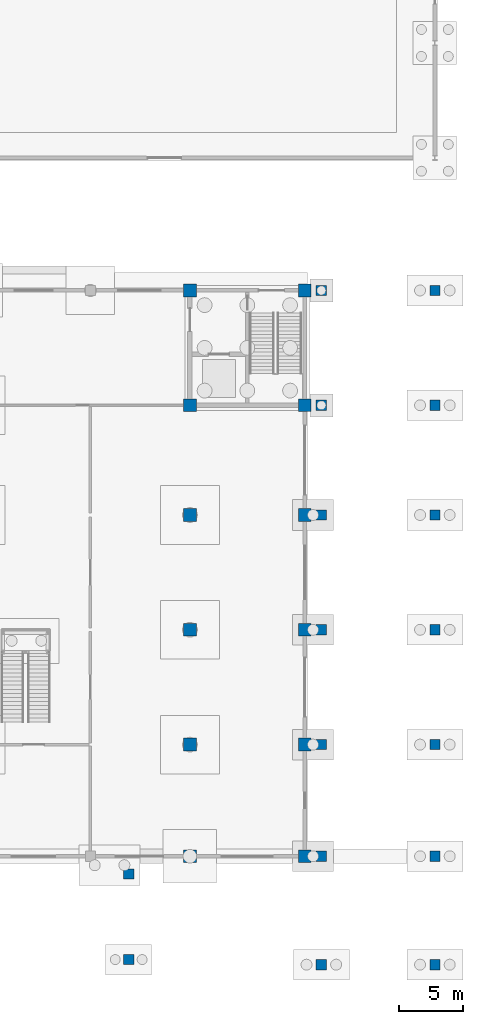
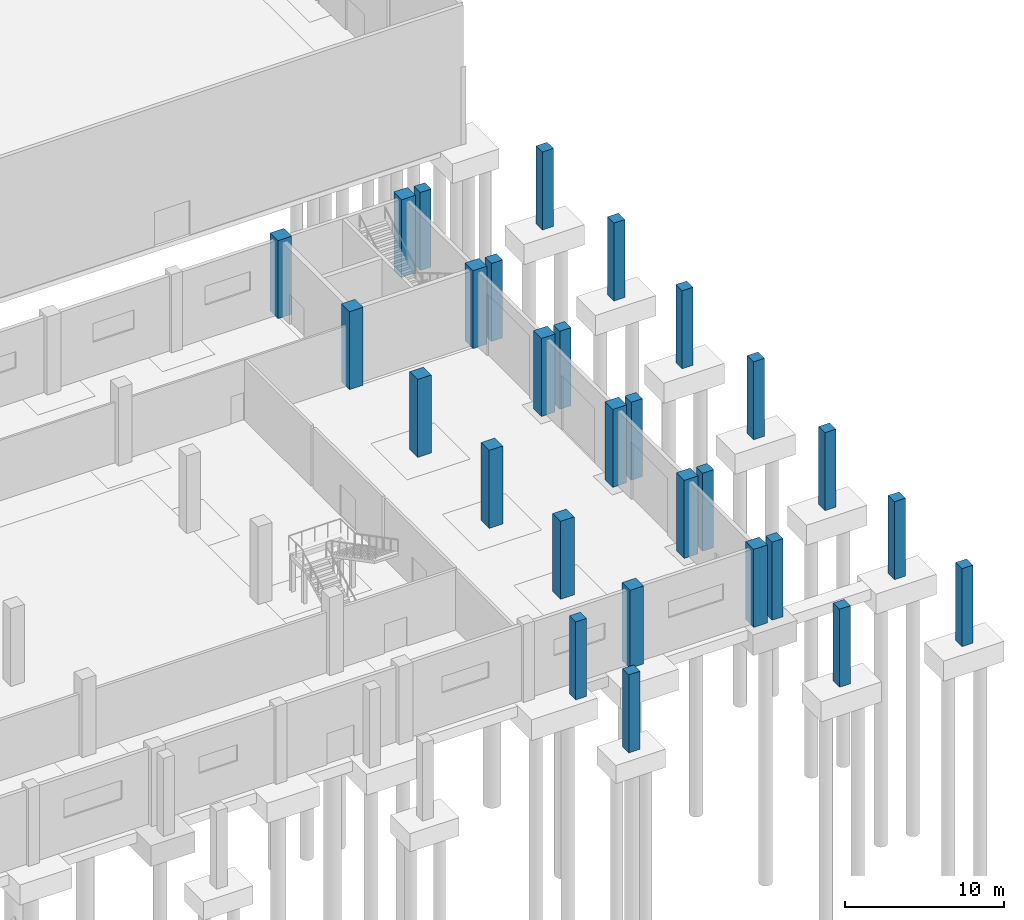
# One storey, part 29 of 131: 28 columns.
"""IFC4 building model written with IfcOpenShell, lengths in metres."""

import ifcopenshell
import ifcopenshell.guid

model = None  # the IFC model being written
_history = None  # IfcOwnerHistory: only IFC2X3 demands one
_inside = {}  # id of a spatial element -> (the spatial element, [elements in it])
_under = {}  # id of a project, library or spatial element -> (it, [spatial elements below it])
_declared = {}  # id of a project -> (the project, [libraries it declares])
_typed = {}  # id of a type object -> (the type object, [elements of that type])
_made_of = {}  # id of a material, layer set ... -> (it, [elements and type objects made of it])


def new_model(schema):
    """Start an empty IFC model of exactly this schema.

    Asked for "IFC4X3", IfcOpenShell would pick the latest addendum, in which some entities
    have other attributes; the version numbers below select the first issue.
    IFC2X3 requires an IfcOwnerHistory on every rooted entity: one is made here for all.
    """
    global model, _history
    if schema == "IFC4X3":
        model = ifcopenshell.file(schema_version=(4, 3, 0, 0))
    else:
        model = ifcopenshell.file(schema=schema)
    _inside.clear()
    _under.clear()
    _declared.clear()
    _typed.clear()
    _made_of.clear()
    _history = None
    if model.schema == "IFC2X3":
        org = make("IfcOrganization", Name="unknown")
        user = make(
            "IfcPersonAndOrganization",
            ThePerson=make("IfcPerson", FamilyName="unknown"),
            TheOrganization=org,
        )
        app = make(
            "IfcApplication",
            ApplicationDeveloper=org,
            Version="unknown",
            ApplicationFullName="unknown",
            ApplicationIdentifier="unknown",
        )
        _history = make(
            "IfcOwnerHistory",
            OwningUser=user,
            OwningApplication=app,
            ChangeAction="ADDED",
            CreationDate=0,
        )
    return model


def make(cls, **values):
    """One entity of the class cls with the attributes given. An attribute that is None is left unset."""
    return model.create_entity(
        cls, **{name: value for name, value in values.items() if value is not None}
    )


def rooted(cls, **values):
    """An entity with a GlobalId (a new one), such as an element, a storey or a relation."""
    return make(cls, GlobalId=ifcopenshell.guid.new(), OwnerHistory=_history, **values)


def si_unit(unit_type, name, prefix=None):
    """IfcSIUnit, for example si_unit("LENGTHUNIT", "METRE", prefix="MILLI")."""
    return make("IfcSIUnit", UnitType=unit_type, Prefix=prefix, Name=name)


def assignment(units):
    """IfcUnitAssignment: the units of a project."""
    return None if units is None else make("IfcUnitAssignment", Units=units)


def point(xyz):
    """IfcCartesianPoint."""
    return None if xyz is None else make("IfcCartesianPoint", Coordinates=xyz)


def direction(xyz):
    """IfcDirection."""
    return None if xyz is None else make("IfcDirection", DirectionRatios=xyz)


def frame(location, z_axis=None, x_axis=None):
    """IfcAxis2Placement3D, a coordinate frame: its origin and axes. An axis left out is left unset."""
    return make(
        "IfcAxis2Placement3D",
        Location=point(location),
        Axis=direction(z_axis),
        RefDirection=direction(x_axis),
    )


def frame_2d(location, x_axis=None):
    """IfcAxis2Placement2D, a coordinate frame in the plane: its origin and x axis."""
    return make(
        "IfcAxis2Placement2D", Location=point(location), RefDirection=direction(x_axis)
    )


def origin():
    """The frame at (0, 0, 0) with its axes left unset."""
    return frame((0.0, 0.0, 0.0))


def origin_2d():
    """The frame at (0, 0) in the plane with its x axis left unset."""
    return frame_2d((0.0, 0.0))


def place(relative_to, where):
    """IfcLocalPlacement: puts the frame where relative to a parent placement (None: the world)."""
    return make(
        "IfcLocalPlacement", PlacementRelTo=relative_to, RelativePlacement=where
    )


def context(
    kind, dimensions, precision=None, world=None, true_north=None, identifier=None
):
    """IfcGeometricRepresentationContext, for example the 3D "Model" context."""
    return make(
        "IfcGeometricRepresentationContext",
        ContextIdentifier=identifier,
        ContextType=kind,
        CoordinateSpaceDimension=dimensions,
        Precision=precision,
        WorldCoordinateSystem=world,
        TrueNorth=true_north,
    )


def subcontext(parent, identifier, kind, view, scale=None):
    """IfcGeometricRepresentationSubContext, for example "Body" below "Model"."""
    return make(
        "IfcGeometricRepresentationSubContext",
        ContextIdentifier=identifier,
        ContextType=kind,
        ParentContext=parent,
        TargetScale=scale,
        TargetView=view,
    )


def project(units=None, contexts=None):
    """IfcProject with its units and contexts."""
    return rooted(
        "IfcProject",
        Name="project",
        RepresentationContexts=contexts,
        UnitsInContext=assignment(units),
    )


def spatial(cls, under=None, at=None, **own):
    """A site, building, storey or space (cls), placed at a placement, below another one or the project."""
    s = rooted(cls, ObjectPlacement=at, **own)
    if under is not None:
        _under.setdefault(under.id(), (under, []))[1].append(s)
    return s


def profile(cls, at=None, kind="AREA", **sizes):
    """A parametric profile (cls). Its sizes go by their IFC names, for example OverallWidth=200.0."""
    return make(cls, ProfileType=kind, Position=at, **sizes)


def rectangle(**sizes):
    """IfcRectangleProfileDef."""
    return profile("IfcRectangleProfileDef", **sizes)


def extrude(swept, where, along, depth):
    """IfcExtrudedAreaSolid: the profile swept, set in the frame where, extruded along a direction by depth."""
    return make(
        "IfcExtrudedAreaSolid",
        SweptArea=swept,
        Position=where,
        ExtrudedDirection=direction(along),
        Depth=depth,
    )


def shape(context_of_items, identifier, shape_type, items):
    """IfcShapeRepresentation: the items that make up one representation, for example the "Body"."""
    return make(
        "IfcShapeRepresentation",
        ContextOfItems=context_of_items,
        RepresentationIdentifier=identifier,
        RepresentationType=shape_type,
        Items=items,
    )


def material(Name=None, Category=None):
    """IfcMaterial."""
    return make("IfcMaterial", Name=Name, Category=Category)


def material_profile(
    of_material, cross_section, Name=None, Category=None, Priority=None
):
    """IfcMaterialProfile: a cross section and its material."""
    return make(
        "IfcMaterialProfile",
        Name=Name,
        Material=of_material,
        Profile=cross_section,
        Priority=Priority,
        Category=Category,
    )


def profile_set(profiles, Name=None, composite=None):
    """IfcMaterialProfileSet."""
    return make(
        "IfcMaterialProfileSet",
        Name=Name,
        MaterialProfiles=profiles,
        CompositeProfile=composite,
    )


def made_of(thing, what):
    """Note that an element or type object is made of a material, layer set ...; save() writes the relation."""
    if what is not None:
        _made_of.setdefault(what.id(), (what, []))[1].append(thing)
    return thing


def type_object(cls, material=None, **own):
    """A type object (cls), such as IfcWallType, which elements share."""
    return made_of(rooted(cls, **own), material)


def element(
    cls,
    number,
    at=None,
    inside=None,
    cuts=None,
    type_object=None,
    material=None,
    context=None,
    identifier="Body",
    shape_type=None,
    held_by="IfcProductDefinitionShape",
    body=None,
    shapes=None,
    **own,
):
    """One element of the class cls, such as IfcWall. Its Tag is "e" and its number.

    at: its placement. inside: the storey or other place that contains it. cuts: it is an
    opening in that element (IfcRelVoidsElement). A single representation is given by context,
    identifier, shape_type and body (its items); several are given by shapes. held_by: the class
    of the entity that holds the representations. save() writes the other relations.
    """
    e = rooted(cls, Tag="e%d" % number, ObjectPlacement=at, **own)
    if body is not None:
        shapes = [shape(context, identifier, shape_type, body)]
    if shapes is not None:
        e.Representation = make(held_by, Representations=shapes)
    if inside is not None:
        _inside.setdefault(inside.id(), (inside, []))[1].append(e)
    if cuts is not None:
        rooted(
            "IfcRelVoidsElement", RelatingBuildingElement=cuts, RelatedOpeningElement=e
        )
    if type_object is not None:
        _typed.setdefault(type_object.id(), (type_object, []))[1].append(e)
    return made_of(e, material)


def aggregate(whole, parts):
    """IfcRelAggregates: a whole, such as a stair, and the parts it consists of."""
    return rooted("IfcRelAggregates", RelatingObject=whole, RelatedObjects=parts)


def save(model, path):
    """Write the relations noted so far, then the file.

    IfcRelAggregates (storeys below a building ...), IfcRelContainedInSpatialStructure (elements
    in a storey), IfcRelDefinesByType, IfcRelAssociatesMaterial and IfcRelDeclares: one each for
    every whole, place, type object, material and project.
    """
    for whole, parts in _under.values():
        aggregate(whole, parts)
    for where, things in _inside.values():
        rooted(
            "IfcRelContainedInSpatialStructure",
            RelatedElements=things,
            RelatingStructure=where,
        )
    for kind, things in _typed.values():
        rooted("IfcRelDefinesByType", RelatedObjects=things, RelatingType=kind)
    for what, things in _made_of.values():
        rooted("IfcRelAssociatesMaterial", RelatedObjects=things, RelatingMaterial=what)
    for by, libraries in _declared.values():
        rooted("IfcRelDeclares", RelatingContext=by, RelatedDefinitions=libraries)
    model.write(path)


model = new_model("IFC4")

# Units and contexts
model_context = context("Model", 3, precision=1e-05, world=origin(), true_north=direction((0.0, 1.0)))
body_context = subcontext(model_context, "Body", "Model", "MODEL_VIEW")
ifc_project = project(units=[si_unit("LENGTHUNIT", "METRE"), si_unit("AREAUNIT", "SQUARE_METRE"), si_unit("VOLUMEUNIT", "CUBIC_METRE"), si_unit("PLANEANGLEUNIT", "RADIAN"), si_unit("MASSUNIT", "GRAM", prefix="KILO")], contexts=[model_context])

# Site, building, storey
site_placement = place(None, origin())
site = spatial("IfcSite", under=ifc_project, at=site_placement, CompositionType="ELEMENT")
building_placement = place(site_placement, origin())
building = spatial("IfcBuilding", under=site, at=building_placement, Name="Cazmaro Siding Exhibition Halls", CompositionType="ELEMENT")
storey_placement = place(building_placement, origin())
storey = spatial("IfcBuildingStorey", under=building, at=storey_placement, Name="L00", CompositionType="ELEMENT", Elevation=0.0)

# Columns
ifc_material_1 = material(Name="Concrete f'c 45 MPa", Category="concrete")
ifc_material_profile_1 = material_profile(ifc_material_1, rectangle(XDim=1.0, YDim=1.0, at=origin_2d()), Name="RC1000X1000")
ifc_profile_set_1 = profile_set([ifc_material_profile_1], Name="Concrete f'c 45 MPa")
column_type_1 = type_object("IfcColumnType", Name="C-07", PredefinedType="COLUMN", material=ifc_profile_set_1)
for number, where, z_axis, x_axis, name in (
    (1, (196.800048828125, 9.25, 0.0), (0.0, 0.0, 1.0), (1.0, 0.0, 0.0), "Column C-07 COL-0541"),
    (2, (196.800048828125, 18.0, 0.0), (0.0, 0.0, 1.0), (1.0, 0.0, 0.0), "Column C-07 COL-0543"),
    (3, (196.800048828125, 27.0, 0.0), (0.0, 0.0, 1.0), (1.0, 0.0, 0.0), "Column C-07 COL-0545"),
    (4, (196.800048828125, 36.0, 0.0), (0.0, 0.0, 1.0), (1.0, 0.0, 0.0), "Column C-07 COL-0547"),
    (5, (196.800048828125, 44.60009765625, 0.0), (0.0, 0.0, 1.0), (1.0, 0.0, 0.0), "Column C-07 COL-0549"),
    (6, (196.800048828125, 53.60009765625, 0.0), (0.0, 0.0, 1.0), (1.0, 0.0, 0.0), "Column C-07 COL-0551"),
    (7, (205.800048828125, 9.25, 0.0), (0.0, 0.0, 1.0), (1.0, 0.0, 0.0), "Column C-07 COL-0553"),
    (8, (205.800048828125, 18.0, 0.0), (0.0, 0.0, 1.0), (1.0, 0.0, 0.0), "Column C-07 COL-0555"),
    (9, (205.800048828125, 27.0, 0.0), (0.0, 0.0, 1.0), (1.0, 0.0, 0.0), "Column C-07 COL-0557"),
    (10, (205.800048828125, 36.0, 0.0), (0.0, 0.0, 1.0), (1.0, 0.0, 0.0), "Column C-07 COL-0559"),
    (11, (205.800048828125, 44.60009765625, 0.0), (0.0, 0.0, 1.0), (1.0, 0.0, 0.0), "Column C-07 COL-0561"),
    (12, (205.800048828125, 53.60009765625, 0.0), (0.0, 0.0, 1.0), (1.0, 0.0, 0.0), "Column C-07 COL-0563"),
):
    element("IfcColumn", number, at=place(storey_placement, frame(where, z_axis=z_axis, x_axis=x_axis)), inside=storey, type_object=column_type_1, Name=name, PredefinedType="COLUMN", context=body_context, shape_type="SweptSolid", body=[
        extrude(rectangle(XDim=1.0, YDim=1.0, at=origin_2d()), origin(), (0.0, 0.0, 1.0), 6.0),
    ])
ifc_material_2 = material(Name="Concrete f'c 45 MPa", Category="concrete")
ifc_material_profile_2 = material_profile(ifc_material_2, rectangle(XDim=0.800048828125, YDim=0.800048828125, at=origin_2d()), Name="RC800X800")
ifc_profile_set_2 = profile_set([ifc_material_profile_2], Name="Concrete f'c 45 MPa")
column_type_2 = type_object("IfcColumnType", Name="C-08", PredefinedType="COLUMN", material=ifc_profile_set_2)
for number, where, z_axis, x_axis, name in (
    (13, (207.10009765625, 0.75, 0.0), (0.0, 0.0, 1.0), (1.0, 0.0, 0.0), "Column C-08 COL-1093"),
    (14, (207.10009765625, 9.25, 0.0), (0.0, 0.0, 1.0), (1.0, 0.0, 0.0), "Column C-08 COL-1095"),
    (15, (207.10009765625, 18.0, 0.0), (0.0, 0.0, 1.0), (1.0, 0.0, 0.0), "Column C-08 COL-1097"),
    (16, (207.10009765625, 27.0, 0.0), (0.0, 0.0, 1.0), (1.0, 0.0, 0.0), "Column C-08 COL-1099"),
    (17, (207.10009765625, 36.0, 0.0), (0.0, 0.0, 1.0), (1.0, 0.0, 0.0), "Column C-08 COL-1101"),
    (18, (207.10009765625, 44.60009765625, 0.0), (0.0, 0.0, 1.0), (1.0, 0.0, 0.0), "Column C-08 COL-1103"),
    (19, (207.10009765625, 53.60009765625, 0.0), (0.0, 0.0, 1.0), (1.0, 0.0, 0.0), "Column C-08 COL-1105"),
    (20, (216.0, 0.75, 0.0), (0.0, 0.0, 1.0), (1.0, 0.0, 0.0), "Column C-08 COL-1107"),
    (21, (216.0, 9.25, 0.0), (0.0, 0.0, 1.0), (1.0, 0.0, 0.0), "Column C-08 COL-1109"),
    (22, (216.0, 18.0, 0.0), (0.0, 0.0, 1.0), (1.0, 0.0, 0.0), "Column C-08 COL-1111"),
    (23, (216.0, 27.0, 0.0), (0.0, 0.0, 1.0), (1.0, 0.0, 0.0), "Column C-08 COL-1113"),
    (24, (216.0, 36.0, 0.0), (0.0, 0.0, 1.0), (1.0, 0.0, 0.0), "Column C-08 COL-1115"),
    (25, (216.0, 44.60009765625, 0.0), (0.0, 0.0, 1.0), (1.0, 0.0, 0.0), "Column C-08 COL-1117"),
    (26, (216.0, 53.60009765625, 0.0), (0.0, 0.0, 1.0), (1.0, 0.0, 0.0), "Column C-08 COL-1119"),
    (27, (192.0, 1.14990234375, 0.0), (0.0, 0.0, 1.0), (1.0, 0.0, 0.0), "Column C-08 COL-1145"),
    (28, (192.0, 7.85009765625, 0.0), (0.0, 0.0, 1.0), (1.0, 0.0, 0.0), "Column C-08 COL-1147"),
):
    element("IfcColumn", number, at=place(storey_placement, frame(where, z_axis=z_axis, x_axis=x_axis)), inside=storey, type_object=column_type_2, Name=name, PredefinedType="COLUMN", context=body_context, shape_type="SweptSolid", body=[
        extrude(rectangle(XDim=0.800048828125, YDim=0.800048828125, at=origin_2d()), origin(), (0.0, 0.0, 1.0), 6.0),
    ])

save(model, "model.ifc")
